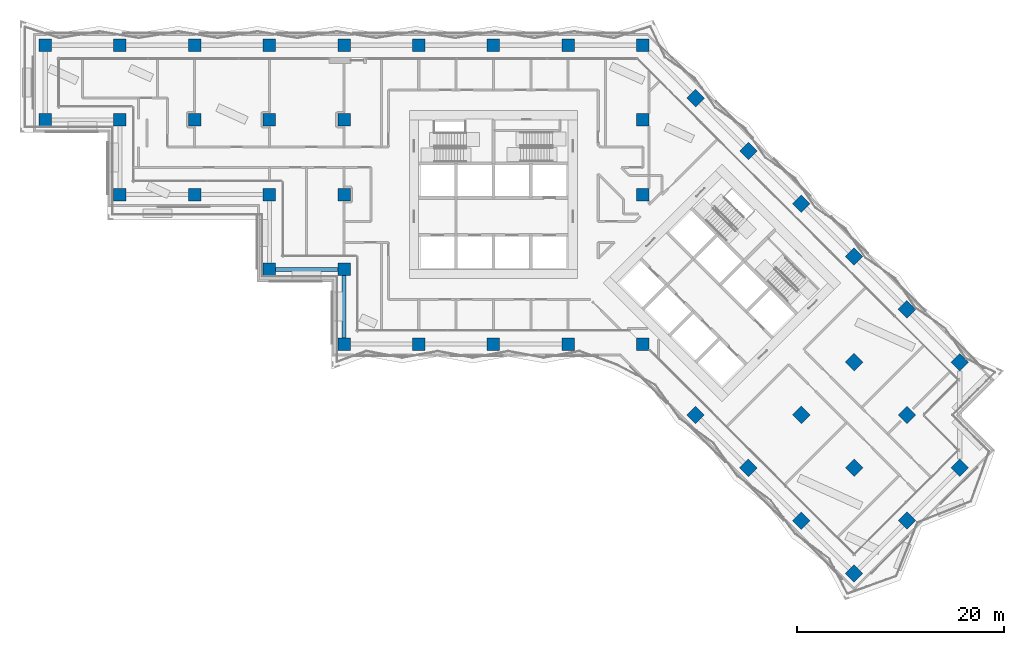
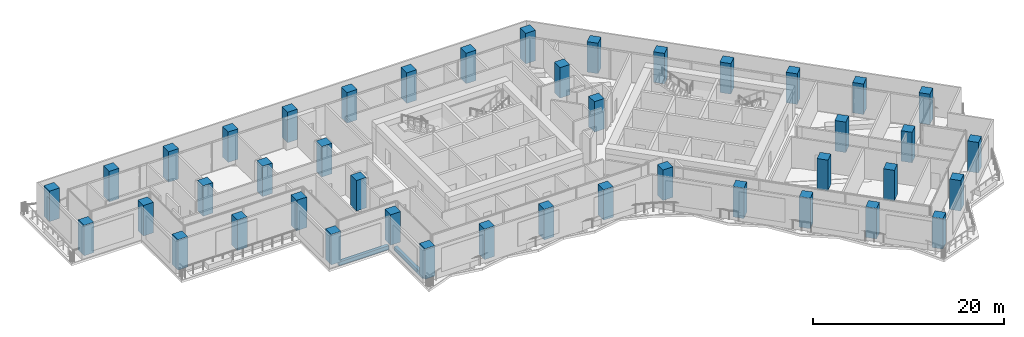
# One storey, part 1 of 24: 43 columns, 2 beams.
"""IFC4 building model written with IfcOpenShell, lengths in metres."""

from ifc_helpers import new_model, si_unit, direction, frame, origin, origin_2d, place, context, subcontext, project, spatial, rectangle, extrude, material, material_profile, profile_set, type_object, element, save


model = new_model("IFC4")

# Units and contexts
model_context = context("Model", 3, precision=1e-05, world=origin(), true_north=direction((0.0, 1.0)))
body_context = subcontext(model_context, "Body", "Model", "MODEL_VIEW")
ifc_project = project(units=[si_unit("LENGTHUNIT", "METRE"), si_unit("AREAUNIT", "SQUARE_METRE"), si_unit("VOLUMEUNIT", "CUBIC_METRE"), si_unit("PLANEANGLEUNIT", "RADIAN"), si_unit("MASSUNIT", "GRAM", prefix="KILO")], contexts=[model_context])

# Site, building, storey
site_placement = place(None, origin())
site = spatial("IfcSite", under=ifc_project, at=site_placement, CompositionType="ELEMENT")
building_placement = place(site_placement, origin())
building = spatial("IfcBuilding", under=site, at=building_placement, Name="Windrow Commons", CompositionType="ELEMENT")
storey_placement = place(building_placement, frame((0.0, 0.0, 67.8)))
storey = spatial("IfcBuildingStorey", under=building, at=storey_placement, Name="L18", CompositionType="ELEMENT", Elevation=67.8)

# Columns
ifc_material_1 = material(Name="Concrete C60/75", Category="concrete")
ifc_material_profile_1 = material_profile(ifc_material_1, rectangle(XDim=1.2, YDim=1.2, at=origin_2d()))
ifc_profile_set_1 = profile_set([ifc_material_profile_1], Name="Concrete C60/75")
column_type = type_object("IfcColumnType", Name="RC COLUMN 1200x1200 C60/75", PredefinedType="COLUMN", material=ifc_profile_set_1)
for number, where, z_axis, x_axis, name in (
    (1, (21.6, 64.8, 0.0), (0.0, 0.0, 1.0), (1.0, 0.0, 0.0), "C-SG1-04I"),
    (2, (21.6, 72.0, 0.0), (0.0, 0.0, 1.0), (1.0, 0.0, 0.0), "C-SG1-04J"),
    (3, (28.8, 57.6, 0.0), (0.0, 0.0, 1.0), (1.0, 0.0, 0.0), "C-SG1-05H"),
    (4, (28.8, 64.8, 0.0), (0.0, 0.0, 1.0), (1.0, 0.0, 0.0), "C-SG1-05I"),
    (5, (28.8, 72.0, 0.0), (0.0, 0.0, 1.0), (1.0, 0.0, 0.0), "C-SG1-05J"),
    (6, (36.0, 57.6, 0.0), (0.0, 0.0, 1.0), (1.0, 0.0, 0.0), "C-SG1-06H"),
    (7, (36.0, 64.8, 0.0), (0.0, 0.0, 1.0), (1.0, 0.0, 0.0), "C-SG1-06I"),
    (8, (36.0, 72.0, 0.0), (0.0, 0.0, 1.0), (1.0, 0.0, 0.0), "C-SG1-06J"),
    (9, (43.2, 50.4, 0.0), (0.0, 0.0, 1.0), (1.0, 0.0, 0.0), "C-SG1-07G"),
    (10, (43.2, 57.6, 0.0), (0.0, 0.0, 1.0), (1.0, 0.0, 0.0), "C-SG1-07H"),
    (11, (43.2, 64.8, 0.0), (0.0, 0.0, 1.0), (1.0, 0.0, 0.0), "C-SG1-07I"),
    (12, (43.2, 72.0, 0.0), (0.0, 0.0, 1.0), (1.0, 0.0, 0.0), "C-SG1-07J"),
    (13, (50.4, 43.2, 0.0), (0.0, 0.0, 1.0), (1.0, 0.0, 0.0), "C-SG1-08F"),
    (14, (50.4, 50.4, 0.0), (0.0, 0.0, 1.0), (1.0, 0.0, 0.0), "C-SG1-08G"),
    (15, (50.4, 57.6, 0.0), (0.0, 0.0, 1.0), (1.0, 0.0, 0.0), "C-SG1-08H"),
    (16, (50.4, 64.8, 0.0), (0.0, 0.0, 1.0), (1.0, 0.0, 0.0), "C-SG1-08I"),
    (17, (50.4, 72.0, 0.0), (0.0, 0.0, 1.0), (1.0, 0.0, 0.0), "C-SG1-08J"),
    (18, (57.6, 43.2, 0.0), (0.0, 0.0, 1.0), (1.0, 0.0, 0.0), "C-SG1-09F"),
    (19, (57.6, 72.0, 0.0), (0.0, 0.0, 1.0), (1.0, 0.0, 0.0), "C-SG1-09J"),
    (20, (64.8, 43.2, 0.0), (0.0, 0.0, 1.0), (1.0, 0.0, 0.0), "C-SG1-10F"),
    (21, (64.8, 72.0, 0.0), (0.0, 0.0, 1.0), (1.0, 0.0, 0.0), "C-SG1-10J"),
    (22, (72.0, 43.2, 0.0), (0.0, 0.0, 1.0), (1.0, 0.0, 0.0), "C-SG1-11F"),
    (23, (72.0, 72.0, 0.0), (0.0, 0.0, 1.0), (1.0, 0.0, 0.0), "C-SG1-11J"),
    (24, (79.2, 43.2, 0.0), (0.0, 0.0, 1.0), (1.0, 0.0, 0.0), "C-SG1-12F"),
    (25, (79.2, 57.6, 0.0), (0.0, 0.0, 1.0), (1.0, 0.0, 0.0), "C-SG1-12H"),
    (26, (79.2, 64.8, 0.0), (0.0, 0.0, 1.0), (1.0, 0.0, 0.0), "C-SG1-12I"),
    (27, (79.2, 72.0, 0.0), (0.0, 0.0, 1.0), (1.0, 0.0, 0.0), "C-SG1-12J"),
    (28, (84.2912, 66.9088, 0.0), (0.0, 0.0, 1.0), (0.7071067812, -0.7071067812, 0.0), "C-SG1-P2Q"),
    (29, (89.3823, 61.8177, 0.0), (0.0, 0.0, 1.0), (0.7071067812, -0.7071067812, 0.0), "C-SG1-P3Q"),
    (30, (94.4735, 56.7265, 0.0), (0.0, 0.0, 1.0), (0.7071067812, -0.7071067812, 0.0), "C-SG1-P4Q"),
    (31, (99.5647, 51.6353, 0.0), (0.0, 0.0, 1.0), (0.7071067812, -0.7071067812, 0.0), "C-SG1-P5Q"),
    (32, (84.2912, 36.3618, 0.0), (0.0, 0.0, 1.0), (0.7071067812, -0.7071067812, 0.0), "C-SG1-P5T"),
    (33, (104.6558, 46.5442, 0.0), (0.0, 0.0, 1.0), (0.7071067812, -0.7071067812, 0.0), "C-SG1-P6Q"),
    (34, (99.5647, 41.453, 0.0), (0.0, 0.0, 1.0), (0.7071067812, -0.7071067812, 0.0), "C-SG1-P6R"),
    (35, (94.4735, 36.3618, 0.0), (0.0, 0.0, 1.0), (0.7071067812, -0.7071067812, 0.0), "C-SG1-P6S"),
    (36, (89.3823, 31.2706, 0.0), (0.0, 0.0, 1.0), (0.7071067812, -0.7071067812, 0.0), "C-SG1-P6T"),
    (37, (109.747, 41.453, 0.0), (0.0, 0.0, 1.0), (0.7071067812, -0.7071067812, 0.0), "C-SG1-P7Q"),
    (38, (104.6558, 36.3618, 0.0), (0.0, 0.0, 1.0), (0.7071067812, -0.7071067812, 0.0), "C-SG1-P7R"),
    (39, (99.5647, 31.2706, 0.0), (0.0, 0.0, 1.0), (0.7071067812, -0.7071067812, 0.0), "C-SG1-P7S"),
    (40, (94.4735, 26.1795, 0.0), (0.0, 0.0, 1.0), (0.7071067812, -0.7071067812, 0.0), "C-SG1-P7T"),
    (41, (109.747, 31.2706, 0.0), (0.0, 0.0, 1.0), (0.7071067812, -0.7071067812, 0.0), "C-SG1-P8R"),
    (42, (104.6558, 26.1795, 0.0), (0.0, 0.0, 1.0), (0.7071067812, -0.7071067812, 0.0), "C-SG1-P8S"),
    (43, (99.5647, 21.0883, 0.0), (0.0, 0.0, 1.0), (0.7071067812, -0.7071067812, 0.0), "C-SG1-P8T"),
):
    element("IfcColumn", number, at=place(storey_placement, frame(where, z_axis=z_axis, x_axis=x_axis)), inside=storey, type_object=column_type, Name=name, PredefinedType="COLUMN", context=body_context, shape_type="SweptSolid", body=[
        extrude(rectangle(XDim=1.2, YDim=1.2, at=origin_2d()), origin(), (0.0, 0.0, 1.0), 3.9),
    ])

# Beams
ifc_material_2 = material(Name="Concrete C60/75", Category="concrete")
ifc_material_profile_2 = material_profile(ifc_material_2, rectangle(XDim=0.4, YDim=0.5, at=origin_2d()))
ifc_profile_set_2 = profile_set([ifc_material_profile_2], Name="Concrete C60/75")
beam_type = type_object("IfcBeamType", Name="RC EDGE BEAM 400x500 C60/75", PredefinedType="SPANDREL", material=ifc_profile_set_2)
for number, where, z_axis, x_axis, name in (
    (44, (50.4, 43.8, -0.55), (0.0, 1.0, 0.0), (-1.0, 0.0, 0.0), "Edge beam L18 028"),
    (45, (49.8, 50.4, -0.55), (-1.0, 0.0, 0.0), (0.0, -1.0, 0.0), "Edge beam L18 029"),
):
    element("IfcBeam", number, at=place(storey_placement, frame(where, z_axis=z_axis, x_axis=x_axis)), inside=storey, type_object=beam_type, Name=name, PredefinedType="SPANDREL", context=body_context, shape_type="SweptSolid", body=[
        extrude(rectangle(XDim=0.4, YDim=0.5, at=origin_2d()), origin(), (0.0, 0.0, 1.0), 6.0),
    ])

save(model, "model.ifc")
